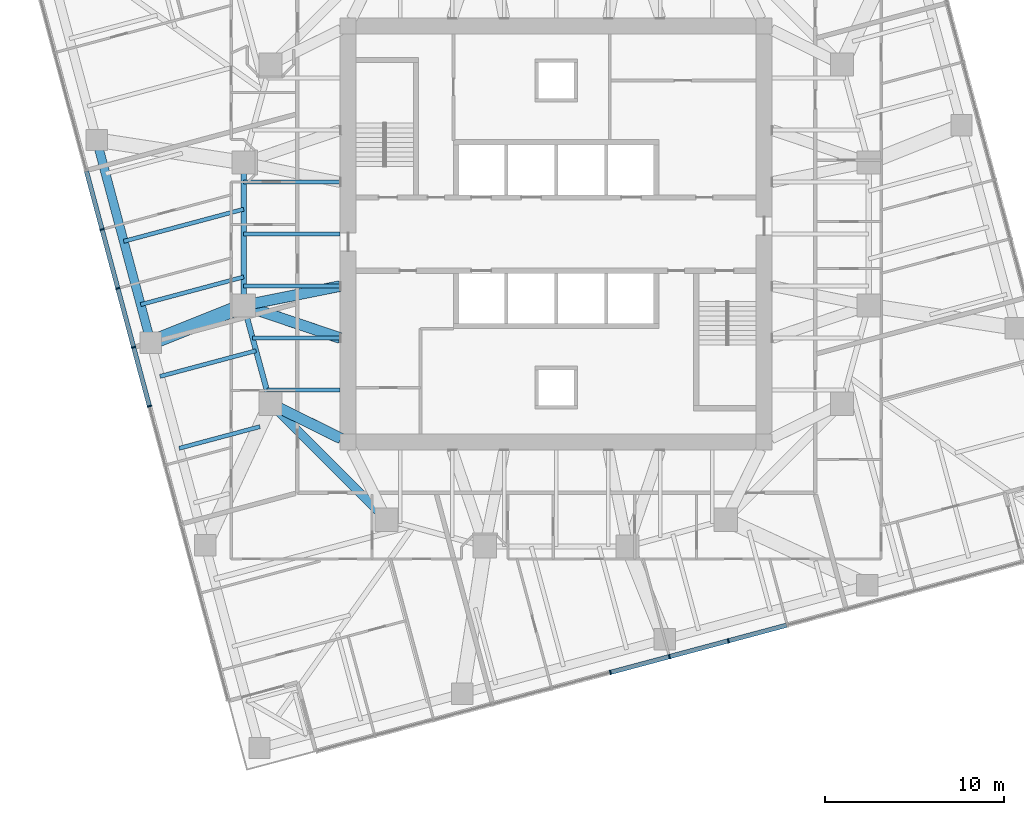
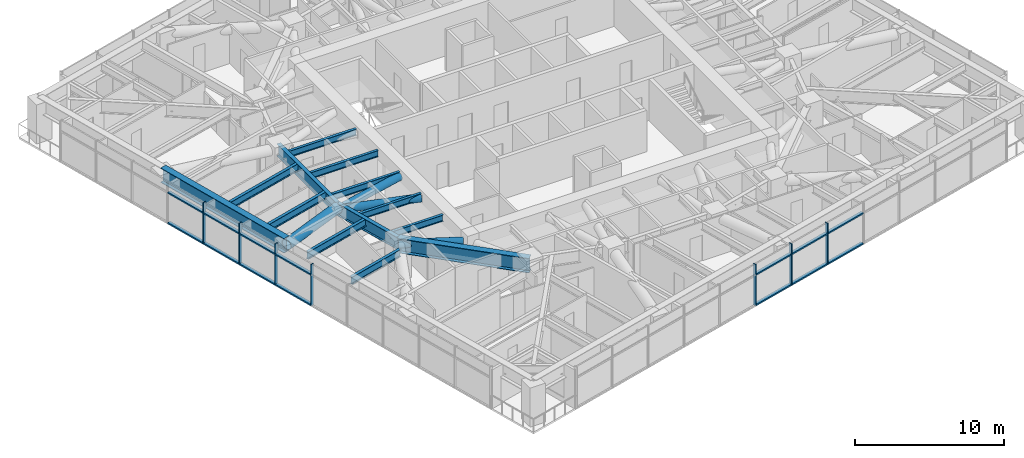
# One storey, part 3 of 18: 25 members, 13 beams, 2 elements without a shape of their own.
"""IFC4 building model written with IfcOpenShell, lengths in metres."""

from ifc_helpers import new_model, si_unit, direction, frame, origin, origin_2d, place, context, subcontext, project, spatial, rectangle, hollow_circle, i_section, extrude, material, material_profile, profile_set, type_object, element, aggregate, save


model = new_model("IFC4")

# Units and contexts
model_context = context("Model", 3, precision=1e-05, world=origin(), true_north=direction((0.0, 1.0)))
body_context = subcontext(model_context, "Body", "Model", "MODEL_VIEW")
ifc_project = project(units=[si_unit("LENGTHUNIT", "METRE"), si_unit("AREAUNIT", "SQUARE_METRE"), si_unit("VOLUMEUNIT", "CUBIC_METRE"), si_unit("PLANEANGLEUNIT", "RADIAN"), si_unit("MASSUNIT", "GRAM", prefix="KILO")], contexts=[model_context])

# Site, building, storey
site_placement = place(None, origin())
site = spatial("IfcSite", under=ifc_project, at=site_placement, CompositionType="ELEMENT")
building_placement = place(site_placement, origin())
building = spatial("IfcBuilding", under=site, at=building_placement, Name="Torsade Residences", CompositionType="ELEMENT")
storey_placement = place(building_placement, frame((0.0, 0.0, 135.39990234375)))
storey = spatial("IfcBuildingStorey", under=building, at=storey_placement, Name="L37", CompositionType="ELEMENT", Elevation=135.39990234375)

# Beams
ifc_material_1 = material(Name="Steel grade 300", Category="steel")
ifc_material_profile_1 = material_profile(ifc_material_1, i_section(OverallWidth=0.208984375, OverallDepth=0.528076171875, WebThickness=0.009521484375, FlangeThickness=0.01318359375, FilletRadius=0.013916015625, at=origin_2d()), Name="530UB82.0")
ifc_profile_set_1 = profile_set([ifc_material_profile_1], Name="Steel grade 300")
beam_type_1 = type_object("IfcBeamType", Name="INNER FLOOR BEAM 530UB82.0", PredefinedType="JOIST", material=ifc_profile_set_1)
for number, where, z_axis, x_axis, name in (
    (1, (27.89990234375, 32.91259765625, 2.93603515625), (-1.0, 0.0, 0.0), (0.0, -1.0, 0.0), "Inner floor beam IW03 L38"),
    (2, (27.89990234375, 30.0, 2.93603515625), (-1.0, 0.0, 0.0), (0.0, -1.0, 0.0), "Inner floor beam IW04 L38"),
    (3, (27.89990234375, 27.08740234375, 2.93603515625), (-1.0, 0.0, 0.0), (0.0, -1.0, 0.0), "Inner floor beam IW05 L38"),
):
    element("IfcBeam", number, at=place(storey_placement, frame(where, z_axis=z_axis, x_axis=x_axis)), inside=storey, type_object=beam_type_1, Name=name, PredefinedType="JOIST", context=body_context, shape_type="SweptSolid", body=[
        extrude(i_section(OverallWidth=0.208984375, OverallDepth=0.528076171875, WebThickness=0.009521484375, FlangeThickness=0.01318359375, FilletRadius=0.013916015625, at=origin_2d()), origin(), (0.0, 0.0, 1.0), 5.39990234375),
    ])
beam_1_placement = place(storey_placement, frame((27.89990234375, 24.175048828125, 2.93603515625), z_axis=(-1.0, 0.0, 0.0), x_axis=(0.0, -1.0, 0.0)))
element("IfcBeam", 4, at=beam_1_placement, inside=storey, type_object=beam_type_1, Name="Inner floor beam IW06 L38", PredefinedType="JOIST", context=body_context, shape_type="SweptSolid", body=[
    extrude(i_section(OverallWidth=0.208984375, OverallDepth=0.528076171875, WebThickness=0.009521484375, FlangeThickness=0.01318359375, FilletRadius=0.013916015625, at=origin_2d()), origin(), (0.0, 0.0, 1.0), 4.902099609375),
])
beam_2_placement = place(storey_placement, frame((27.89990234375, 21.262451171875, 2.93603515625), z_axis=(-1.0, 0.0, 0.0), x_axis=(0.0, -1.0, 0.0)))
element("IfcBeam", 5, at=beam_2_placement, inside=storey, type_object=beam_type_1, Name="Inner floor beam IW07 L38", PredefinedType="JOIST", context=body_context, shape_type="SweptSolid", body=[
    extrude(i_section(OverallWidth=0.208984375, OverallDepth=0.528076171875, WebThickness=0.009521484375, FlangeThickness=0.01318359375, FilletRadius=0.013916015625, at=origin_2d()), origin(), (0.0, 0.0, 1.0), 4.10791015625),
])

# Curtain wall, members
ifc_material_2 = material(Name="Aluminium and glass", Category="aluminium")
curtain_wall_type = type_object("IfcCurtainWallType", Name="FRITTED GLASS CURTAIN WALL MID ZONE", PredefinedType="NOTDEFINED", material=ifc_material_2)
curtain_wall_1_placement = place(storey_placement, origin())
curtain_wall_1 = element("IfcCurtainWall", 6, at=curtain_wall_1_placement, inside=storey, type_object=curtain_wall_type, Name="Curtain wall L37 face 1", PredefinedType="NOTDEFINED")
ifc_material_3 = material(Name="Aluminium mullion", Category="aluminium")
ifc_material_profile_2 = material_profile(ifc_material_3, rectangle(XDim=0.25, YDim=0.080078125, at=origin_2d()), Name="MID ZONE CURTAIN WALL MULLION 250x80")
ifc_profile_set_2 = profile_set([ifc_material_profile_2], Name="Aluminium mullion")
member_type_1 = type_object("IfcMemberType", Name="MID ZONE CURTAIN WALL MULLION 250x80", PredefinedType="MULLION", material=ifc_profile_set_2)
member_1_placement = place(storey_placement, frame((43.040771484375, 5.450439453125, 0.0), z_axis=(0.0, 0.0, 1.0), x_axis=(-0.258819047783, 0.965925825571, 0.0)))
member_1 = element("IfcMember", 7, at=member_1_placement, type_object=member_type_1, Name="Mullion 6", PredefinedType="MULLION", context=body_context, shape_type="SweptSolid", body=[
    extrude(rectangle(XDim=0.25, YDim=0.080078125, at=origin_2d()), origin(), (0.0, 0.0, 1.0), 3.400146484375),
])
member_2_placement = place(storey_placement, frame((46.341064453125, 6.334716796875, 0.0), z_axis=(0.0, 0.0, 1.0), x_axis=(-0.258819047783, 0.965925825571, 0.0)))
member_2 = element("IfcMember", 8, at=member_2_placement, type_object=member_type_1, Name="Mullion 7", PredefinedType="MULLION", context=body_context, shape_type="SweptSolid", body=[
    extrude(rectangle(XDim=0.25, YDim=0.080078125, at=origin_2d()), origin(), (0.0, 0.0, 1.0), 3.400146484375),
])
member_3_placement = place(storey_placement, frame((49.641357421875, 7.218994140625, 0.0), z_axis=(0.0, 0.0, 1.0), x_axis=(-0.258819047783, 0.965925825571, 0.0)))
member_3 = element("IfcMember", 9, at=member_3_placement, type_object=member_type_1, Name="Mullion 8", PredefinedType="MULLION", context=body_context, shape_type="SweptSolid", body=[
    extrude(rectangle(XDim=0.25, YDim=0.080078125, at=origin_2d()), origin(), (0.0, 0.0, 1.0), 3.400146484375),
])

curtain_wall_2_placement = place(storey_placement, origin())
curtain_wall_2 = element("IfcCurtainWall", 10, at=curtain_wall_2_placement, inside=storey, type_object=curtain_wall_type, Name="Curtain wall L37 face 10", PredefinedType="NOTDEFINED")
member_4_placement = place(storey_placement, frame((14.566162109375, 30.259521484375, 0.0), z_axis=(0.0, 0.0, 1.0), x_axis=(0.965925825571, 0.258819047783, 0.0)))
member_4 = element("IfcMember", 11, at=member_4_placement, type_object=member_type_1, Name="Mullion 5", PredefinedType="MULLION", context=body_context, shape_type="SweptSolid", body=[
    extrude(rectangle(XDim=0.25, YDim=0.080078125, at=origin_2d()), origin(), (0.0, 0.0, 1.0), 3.400146484375),
])
member_5_placement = place(storey_placement, frame((15.450439453125, 26.959228515625, 0.0), z_axis=(0.0, 0.0, 1.0), x_axis=(0.965925825571, 0.258819047783, 0.0)))
member_5 = element("IfcMember", 12, at=member_5_placement, type_object=member_type_1, Name="Mullion 6", PredefinedType="MULLION", context=body_context, shape_type="SweptSolid", body=[
    extrude(rectangle(XDim=0.25, YDim=0.080078125, at=origin_2d()), origin(), (0.0, 0.0, 1.0), 3.400146484375),
])
member_6_placement = place(storey_placement, frame((16.334716796875, 23.658935546875, 0.0), z_axis=(0.0, 0.0, 1.0), x_axis=(0.965925825571, 0.258819047783, 0.0)))
member_6 = element("IfcMember", 13, at=member_6_placement, type_object=member_type_1, Name="Mullion 7", PredefinedType="MULLION", context=body_context, shape_type="SweptSolid", body=[
    extrude(rectangle(XDim=0.25, YDim=0.080078125, at=origin_2d()), origin(), (0.0, 0.0, 1.0), 3.400146484375),
])
member_7_placement = place(storey_placement, frame((17.218994140625, 20.358642578125, 0.0), z_axis=(0.0, 0.0, 1.0), x_axis=(0.965925825571, 0.258819047783, 0.0)))
member_7 = element("IfcMember", 14, at=member_7_placement, type_object=member_type_1, Name="Mullion 8", PredefinedType="MULLION", context=body_context, shape_type="SweptSolid", body=[
    extrude(rectangle(XDim=0.25, YDim=0.080078125, at=origin_2d()), origin(), (0.0, 0.0, 1.0), 3.400146484375),
])

# Member
ifc_material_4 = material(Name="Aluminium transom", Category="aluminium")
ifc_material_profile_3 = material_profile(ifc_material_4, rectangle(XDim=0.25, YDim=0.110107421875, at=origin_2d()), Name="MID ZONE CURTAIN WALL TRANSOM 250x110")
ifc_profile_set_3 = profile_set([ifc_material_profile_3], Name="Aluminium transom")
member_type_2 = type_object("IfcMemberType", Name="MID ZONE CURTAIN WALL TRANSOM 250x110", PredefinedType="USERDEFINED", material=ifc_profile_set_3)
member_8_placement = place(storey_placement, frame((43.079345703125, 5.4609375, 0.05517578125), z_axis=(0.965934335648, 0.258787285653, 0.0), x_axis=(-0.258787285653, 0.965934335648, 0.0)))
member_8 = element("IfcMember", 15, at=member_8_placement, type_object=member_type_2, Name="Transom 6.1", ObjectType="TRANSOM", PredefinedType="USERDEFINED", context=body_context, shape_type="SweptSolid", body=[
    extrude(rectangle(XDim=0.25, YDim=0.110107421875, at=origin_2d()), origin(), (0.0, 0.0, 1.0), 3.3369140625),
])

member_9_placement = place(storey_placement, frame((43.079345703125, 5.4609375, 2.55517578125), z_axis=(0.965934335648, 0.258787285653, 0.0), x_axis=(-0.258787285653, 0.965934335648, 0.0)))
member_9 = element("IfcMember", 16, at=member_9_placement, type_object=member_type_2, Name="Transom 6.2", ObjectType="TRANSOM", PredefinedType="USERDEFINED", context=body_context, shape_type="SweptSolid", body=[
    extrude(rectangle(XDim=0.25, YDim=0.110107421875, at=origin_2d()), origin(), (0.0, 0.0, 1.0), 3.3369140625),
])

member_10_placement = place(storey_placement, frame((46.379638671875, 6.34521484375, 0.05517578125), z_axis=(0.965934335648, 0.258787285653, 0.0), x_axis=(-0.258787285653, 0.965934335648, 0.0)))
member_10 = element("IfcMember", 17, at=member_10_placement, type_object=member_type_2, Name="Transom 7.1", ObjectType="TRANSOM", PredefinedType="USERDEFINED", context=body_context, shape_type="SweptSolid", body=[
    extrude(rectangle(XDim=0.25, YDim=0.110107421875, at=origin_2d()), origin(), (0.0, 0.0, 1.0), 3.3369140625),
])

member_11_placement = place(storey_placement, frame((46.379638671875, 6.34521484375, 2.55517578125), z_axis=(0.965934335648, 0.258787285653, 0.0), x_axis=(-0.258787285653, 0.965934335648, 0.0)))
member_11 = element("IfcMember", 18, at=member_11_placement, type_object=member_type_2, Name="Transom 7.2", ObjectType="TRANSOM", PredefinedType="USERDEFINED", context=body_context, shape_type="SweptSolid", body=[
    extrude(rectangle(XDim=0.25, YDim=0.110107421875, at=origin_2d()), origin(), (0.0, 0.0, 1.0), 3.3369140625),
])

member_12_placement = place(storey_placement, frame((49.679931640625, 7.2294921875, 0.05517578125), z_axis=(0.965929435155, 0.258805576255, 0.0), x_axis=(-0.258805576255, 0.965929435155, 0.0)))
member_12 = element("IfcMember", 19, at=member_12_placement, type_object=member_type_2, Name="Transom 8.1", ObjectType="TRANSOM", PredefinedType="USERDEFINED", context=body_context, shape_type="SweptSolid", body=[
    extrude(rectangle(XDim=0.25, YDim=0.110107421875, at=origin_2d()), origin(), (0.0, 0.0, 1.0), 3.336669921875),
])

member_13_placement = place(storey_placement, frame((49.679931640625, 7.2294921875, 2.55517578125), z_axis=(0.965929435155, 0.258805576255, 0.0), x_axis=(-0.258805576255, 0.965929435155, 0.0)))
member_13 = element("IfcMember", 20, at=member_13_placement, type_object=member_type_2, Name="Transom 8.2", ObjectType="TRANSOM", PredefinedType="USERDEFINED", context=body_context, shape_type="SweptSolid", body=[
    extrude(rectangle(XDim=0.25, YDim=0.110107421875, at=origin_2d()), origin(), (0.0, 0.0, 1.0), 3.336669921875),
])

aggregate(curtain_wall_1, [member_1, member_2, member_3, member_8, member_9, member_10, member_11, member_12, member_13])

member_14_placement = place(storey_placement, frame((13.6923828125, 33.52099609375, 0.05517578125), z_axis=(0.258805576255, -0.965929435155, 0.0), x_axis=(0.965929435155, 0.258805576255, 0.0)))
member_14 = element("IfcMember", 21, at=member_14_placement, type_object=member_type_2, Name="Transom 4.1", ObjectType="TRANSOM", PredefinedType="USERDEFINED", context=body_context, shape_type="SweptSolid", body=[
    extrude(rectangle(XDim=0.25, YDim=0.110107421875, at=origin_2d()), origin(), (0.0, 0.0, 1.0), 3.336669921875),
])

member_15_placement = place(storey_placement, frame((13.6923828125, 33.52099609375, 2.55517578125), z_axis=(0.258805576255, -0.965929435155, 0.0), x_axis=(0.965929435155, 0.258805576255, 0.0)))
member_15 = element("IfcMember", 22, at=member_15_placement, type_object=member_type_2, Name="Transom 4.2", ObjectType="TRANSOM", PredefinedType="USERDEFINED", context=body_context, shape_type="SweptSolid", body=[
    extrude(rectangle(XDim=0.25, YDim=0.110107421875, at=origin_2d()), origin(), (0.0, 0.0, 1.0), 3.336669921875),
])

member_16_placement = place(storey_placement, frame((14.57666015625, 30.220703125, 0.05517578125), z_axis=(0.258805576255, -0.965929435155, 0.0), x_axis=(0.965929435155, 0.258805576255, 0.0)))
member_16 = element("IfcMember", 23, at=member_16_placement, type_object=member_type_2, Name="Transom 5.1", ObjectType="TRANSOM", PredefinedType="USERDEFINED", context=body_context, shape_type="SweptSolid", body=[
    extrude(rectangle(XDim=0.25, YDim=0.110107421875, at=origin_2d()), origin(), (0.0, 0.0, 1.0), 3.336669921875),
])

member_17_placement = place(storey_placement, frame((14.57666015625, 30.220703125, 2.55517578125), z_axis=(0.258805576255, -0.965929435155, 0.0), x_axis=(0.965929435155, 0.258805576255, 0.0)))
member_17 = element("IfcMember", 24, at=member_17_placement, type_object=member_type_2, Name="Transom 5.2", ObjectType="TRANSOM", PredefinedType="USERDEFINED", context=body_context, shape_type="SweptSolid", body=[
    extrude(rectangle(XDim=0.25, YDim=0.110107421875, at=origin_2d()), origin(), (0.0, 0.0, 1.0), 3.336669921875),
])

member_18_placement = place(storey_placement, frame((15.4609375, 26.920654296875, 0.05517578125), z_axis=(0.258787285653, -0.965934335648, 0.0), x_axis=(0.965934335648, 0.258787285653, 0.0)))
member_18 = element("IfcMember", 25, at=member_18_placement, type_object=member_type_2, Name="Transom 6.1", ObjectType="TRANSOM", PredefinedType="USERDEFINED", context=body_context, shape_type="SweptSolid", body=[
    extrude(rectangle(XDim=0.25, YDim=0.110107421875, at=origin_2d()), origin(), (0.0, 0.0, 1.0), 3.3369140625),
])

member_19_placement = place(storey_placement, frame((15.4609375, 26.920654296875, 2.55517578125), z_axis=(0.258787285653, -0.965934335648, 0.0), x_axis=(0.965934335648, 0.258787285653, 0.0)))
member_19 = element("IfcMember", 26, at=member_19_placement, type_object=member_type_2, Name="Transom 6.2", ObjectType="TRANSOM", PredefinedType="USERDEFINED", context=body_context, shape_type="SweptSolid", body=[
    extrude(rectangle(XDim=0.25, YDim=0.110107421875, at=origin_2d()), origin(), (0.0, 0.0, 1.0), 3.3369140625),
])

member_20_placement = place(storey_placement, frame((16.34521484375, 23.620361328125, 0.05517578125), z_axis=(0.258787285653, -0.965934335648, 0.0), x_axis=(0.965934335648, 0.258787285653, 0.0)))
member_20 = element("IfcMember", 27, at=member_20_placement, type_object=member_type_2, Name="Transom 7.1", ObjectType="TRANSOM", PredefinedType="USERDEFINED", context=body_context, shape_type="SweptSolid", body=[
    extrude(rectangle(XDim=0.25, YDim=0.110107421875, at=origin_2d()), origin(), (0.0, 0.0, 1.0), 3.3369140625),
])

member_21_placement = place(storey_placement, frame((16.34521484375, 23.620361328125, 2.55517578125), z_axis=(0.258787285653, -0.965934335648, 0.0), x_axis=(0.965934335648, 0.258787285653, 0.0)))
member_21 = element("IfcMember", 28, at=member_21_placement, type_object=member_type_2, Name="Transom 7.2", ObjectType="TRANSOM", PredefinedType="USERDEFINED", context=body_context, shape_type="SweptSolid", body=[
    extrude(rectangle(XDim=0.25, YDim=0.110107421875, at=origin_2d()), origin(), (0.0, 0.0, 1.0), 3.3369140625),
])

aggregate(curtain_wall_2, [member_4, member_5, member_6, member_7, member_14, member_15, member_16, member_17, member_18, member_19, member_20, member_21])

# Beams
ifc_material_5 = material(Name="Steel grade 300", Category="steel")
ifc_material_profile_4 = material_profile(ifc_material_5, i_section(OverallWidth=0.5, OverallDepth=1.199951171875, WebThickness=0.01611328125, FlangeThickness=0.0400390625, at=origin_2d()), Name="1200WB455")
ifc_profile_set_4 = profile_set([ifc_material_profile_4], Name="Steel grade 300")
beam_type_2 = type_object("IfcBeamType", Name="RING CORNER GIRDER 1200WB455", PredefinedType="BEAM", material=ifc_profile_set_4)
beam_3_placement = place(storey_placement, frame((24.0, 20.5, 2.60009765625), z_axis=(0.707106781187, -0.707106781187, 0.0), x_axis=(0.707106781187, 0.707106781187, 0.0)))
element("IfcBeam", 29, at=beam_3_placement, inside=storey, type_object=beam_type_2, Name="Ring girder IR11 L38", PredefinedType="BEAM", context=body_context, shape_type="SweptSolid", body=[
    extrude(i_section(OverallWidth=0.5, OverallDepth=1.199951171875, WebThickness=0.01611328125, FlangeThickness=0.0400390625, at=origin_2d()), origin(), (0.0, 0.0, 1.0), 9.1923828125),
])
ifc_material_6 = material(Name="Steel grade 300", Category="steel")
ifc_material_profile_5 = material_profile(ifc_material_6, i_section(OverallWidth=0.300048828125, OverallDepth=1.0, WebThickness=0.01611328125, FlangeThickness=0.028076171875, at=origin_2d()), Name="1000WB215")
ifc_profile_set_5 = profile_set([ifc_material_profile_5], Name="Steel grade 300")
beam_type_3 = type_object("IfcBeamType", Name="RING GIRDER 1000WB215", PredefinedType="BEAM", material=ifc_profile_set_5)
beam_4_placement = place(storey_placement, frame((22.5, 34.0, 2.7001953125), z_axis=(0.0, -1.0, 0.0), x_axis=(1.0, 0.0, 0.0)))
element("IfcBeam", 30, at=beam_4_placement, inside=storey, type_object=beam_type_3, Name="Ring girder IR09 L38", PredefinedType="BEAM", context=body_context, shape_type="SweptSolid", body=[
    extrude(i_section(OverallWidth=0.300048828125, OverallDepth=1.0, WebThickness=0.01611328125, FlangeThickness=0.028076171875, at=origin_2d()), origin(), (0.0, 0.0, 1.0), 8.0),
])
beam_5_placement = place(storey_placement, frame((22.5, 26.0, 2.7001953125), z_axis=(0.263117405792, -0.964763821238, 0.0), x_axis=(0.964763821238, 0.263117405792, 0.0)))
element("IfcBeam", 31, at=beam_5_placement, inside=storey, type_object=beam_type_3, Name="Ring girder IR10 L38", PredefinedType="BEAM", context=body_context, shape_type="SweptSolid", body=[
    extrude(i_section(OverallWidth=0.300048828125, OverallDepth=1.0, WebThickness=0.01611328125, FlangeThickness=0.028076171875, at=origin_2d()), origin(), (0.0, 0.0, 1.0), 5.700927734375),
])
ifc_material_7 = material(Name="Steel grade 300", Category="steel")
ifc_material_profile_6 = material_profile(ifc_material_7, i_section(OverallWidth=0.22900390625, OverallDepth=0.612060546875, WebThickness=0.011962890625, FlangeThickness=0.01953125, FilletRadius=0.013916015625, at=origin_2d()), Name="610UB125")
ifc_profile_set_6 = profile_set([ifc_material_profile_6], Name="Steel grade 300")
beam_type_4 = type_object("IfcBeamType", Name="SECONDARY BEAM 610UB125", PredefinedType="JOIST", material=ifc_profile_set_6)
beam_6_placement = place(storey_placement, frame((15.7802734375, 29.592529296875, 2.89404296875), z_axis=(0.965926120836, 0.258817945835, 0.0), x_axis=(-0.258817945835, 0.965926120836, 0.0)))
element("IfcBeam", 32, at=beam_6_placement, inside=storey, type_object=beam_type_4, Name="Floor beam FW05 L38", PredefinedType="JOIST", context=body_context, shape_type="SweptSolid", body=[
    extrude(i_section(OverallWidth=0.22900390625, OverallDepth=0.612060546875, WebThickness=0.011962890625, FlangeThickness=0.01953125, FilletRadius=0.013916015625, at=origin_2d()), origin(), (0.0, 0.0, 1.0), 6.956787109375),
])
beam_7_placement = place(storey_placement, frame((16.729248046875, 26.05078125, 2.89404296875), z_axis=(0.965920871885, 0.258837534481, 0.0), x_axis=(-0.258837534481, 0.965920871885, 0.0)))
element("IfcBeam", 33, at=beam_7_placement, inside=storey, type_object=beam_type_4, Name="Floor beam FW06 L38", PredefinedType="JOIST", context=body_context, shape_type="SweptSolid", body=[
    extrude(i_section(OverallWidth=0.22900390625, OverallDepth=0.612060546875, WebThickness=0.011962890625, FlangeThickness=0.01953125, FilletRadius=0.013916015625, at=origin_2d()), origin(), (0.0, 0.0, 1.0), 5.974365234375),
])
beam_8_placement = place(storey_placement, frame((17.8076171875, 22.026123046875, 2.89404296875), z_axis=(0.965923020144, 0.258829517553, 0.0), x_axis=(-0.258829517553, 0.965923020144, 0.0)))
element("IfcBeam", 34, at=beam_8_placement, inside=storey, type_object=beam_type_4, Name="Floor beam FW07 L38", PredefinedType="JOIST", context=body_context, shape_type="SweptSolid", body=[
    extrude(i_section(OverallWidth=0.22900390625, OverallDepth=0.612060546875, WebThickness=0.011962890625, FlangeThickness=0.01953125, FilletRadius=0.013916015625, at=origin_2d()), origin(), (0.0, 0.0, 1.0), 5.57275390625),
])
beam_9_placement = place(storey_placement, frame((18.885986328125, 18.00146484375, 2.89404296875), z_axis=(0.965926860523, 0.258815185258, 0.0), x_axis=(-0.258815185258, 0.965926860523, 0.0)))
element("IfcBeam", 35, at=beam_9_placement, inside=storey, type_object=beam_type_4, Name="Floor beam FW08 L38", PredefinedType="JOIST", context=body_context, shape_type="SweptSolid", body=[
    extrude(i_section(OverallWidth=0.22900390625, OverallDepth=0.612060546875, WebThickness=0.011962890625, FlangeThickness=0.01953125, FilletRadius=0.013916015625, at=origin_2d()), origin(), (0.0, 0.0, 1.0), 4.6796875),
])

# Members
ifc_material_8 = material(Name="Steel grade 450", Category="steel")
ifc_material_profile_7 = material_profile(ifc_material_8, hollow_circle(Radius=0.304931640625, WallThickness=0.01611328125, at=origin_2d()), Name="610.0x16.0CHS")
ifc_profile_set_7 = profile_set([ifc_material_profile_7], Name="Steel grade 450")
member_type_3 = type_object("IfcMemberType", Name="TRANSFER FLOOR BRACE 610.0x16.0CHS", PredefinedType="BRACE", material=ifc_profile_set_7)
member_22_placement = place(storey_placement, frame((22.5, 26.0, 2.60009765625), z_axis=(0.97976207845, 0.197299045909, 0.03375434957), x_axis=(-0.197411538983, 0.980320704809, 0.0)))
element("IfcMember", 36, at=member_22_placement, inside=storey, type_object=member_type_3, Name="Transfer floor brace TT4 bottom IR10IW05", PredefinedType="BRACE", context=body_context, shape_type="SweptSolid", body=[
    extrude(hollow_circle(Radius=0.304931640625, WallThickness=0.01611328125, at=origin_2d()), origin(), (0.0, 0.0, 1.0), 5.511474609375),
])
member_23_placement = place(storey_placement, frame((22.5, 26.0, 2.60009765625), z_axis=(0.946855969774, -0.319999474368, 0.032620682203), x_axis=(0.320169867513, 0.947360151124, 0.0)))
element("IfcMember", 37, at=member_23_placement, inside=storey, type_object=member_type_3, Name="Transfer floor brace TT4 bottom IR10IW06", PredefinedType="BRACE", context=body_context, shape_type="SweptSolid", body=[
    extrude(hollow_circle(Radius=0.304931640625, WallThickness=0.01611328125, at=origin_2d()), origin(), (0.0, 0.0, 1.0), 5.702880859375),
])
member_24_placement = place(storey_placement, frame((24.0, 20.5, 2.60009765625), z_axis=(0.896469701914, -0.443105036702, 0.0), x_axis=(0.443105036702, 0.896469701914, 0.0)))
element("IfcMember", 38, at=member_24_placement, inside=storey, type_object=member_type_3, Name="Transfer floor brace TT4 bottom IR11C", PredefinedType="BRACE", context=body_context, shape_type="SweptSolid", body=[
    extrude(hollow_circle(Radius=0.304931640625, WallThickness=0.01611328125, at=origin_2d()), origin(), (0.0, 0.0, 1.0), 4.40234375),
])
ifc_material_9 = material(Name="Steel grade 450", Category="steel")
ifc_material_profile_8 = material_profile(ifc_material_9, hollow_circle(Radius=0.406494140625, WallThickness=0.02490234375, at=origin_2d()), Name="813.0x25.0CHS")
ifc_profile_set_8 = profile_set([ifc_material_profile_8], Name="Steel grade 450")
member_type_4 = type_object("IfcMemberType", Name="TRANSFER FLOOR STRUT 813.0x25.0CHS", PredefinedType="STRUT", material=ifc_profile_set_8)
member_25_placement = place(storey_placement, frame((17.30078125, 23.917724609375, 2.800048828125), z_axis=(0.928317272246, 0.371788975159, 0.0), x_axis=(-0.371788975159, 0.928317272246, 0.0)))
element("IfcMember", 39, at=member_25_placement, inside=storey, type_object=member_type_4, Name="Transfer floor strut TT4 bottom 15IR10", PredefinedType="STRUT", context=body_context, shape_type="SweptSolid", body=[
    extrude(hollow_circle(Radius=0.406494140625, WallThickness=0.02490234375, at=origin_2d()), origin(), (0.0, 0.0, 1.0), 5.6005859375),
])

# Beam
ifc_material_10 = material(Name="Steel grade 300", Category="steel")
ifc_material_profile_9 = material_profile(ifc_material_10, i_section(OverallWidth=0.5, OverallDepth=1.199951171875, WebThickness=0.01611328125, FlangeThickness=0.0400390625, at=origin_2d()), Name="1200WB455")
ifc_profile_set_9 = profile_set([ifc_material_profile_9], Name="Steel grade 300")
beam_type_5 = type_object("IfcBeamType", Name="TRANSFER TRUSS CHORD 1200WB455", PredefinedType="USERDEFINED", material=ifc_profile_set_9)
beam_10_placement = place(storey_placement, frame((14.259521484375, 35.267333984375, 2.800048828125), z_axis=(0.258830249097, -0.965922824118, 0.0), x_axis=(0.965922824118, 0.258830249097, 0.0)))
element("IfcBeam", 40, at=beam_10_placement, inside=storey, type_object=beam_type_5, Name="Transfer truss TT4 bottom chord 14", ObjectType="TRANSFER TRUSS CHORD", PredefinedType="USERDEFINED", context=body_context, shape_type="SweptSolid", body=[
    extrude(i_section(OverallWidth=0.5, OverallDepth=1.199951171875, WebThickness=0.01611328125, FlangeThickness=0.0400390625, at=origin_2d()), origin(), (0.0, 0.0, 1.0), 11.75),
])

save(model, "model.ifc")
